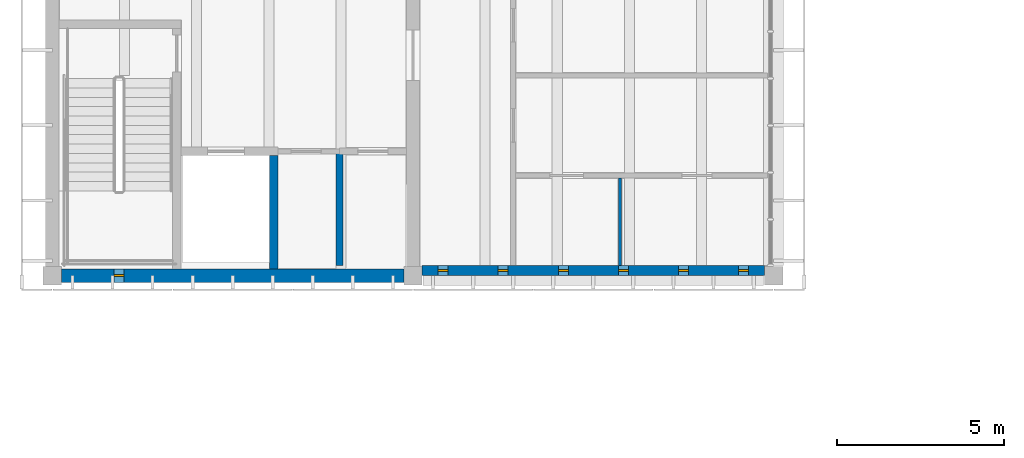
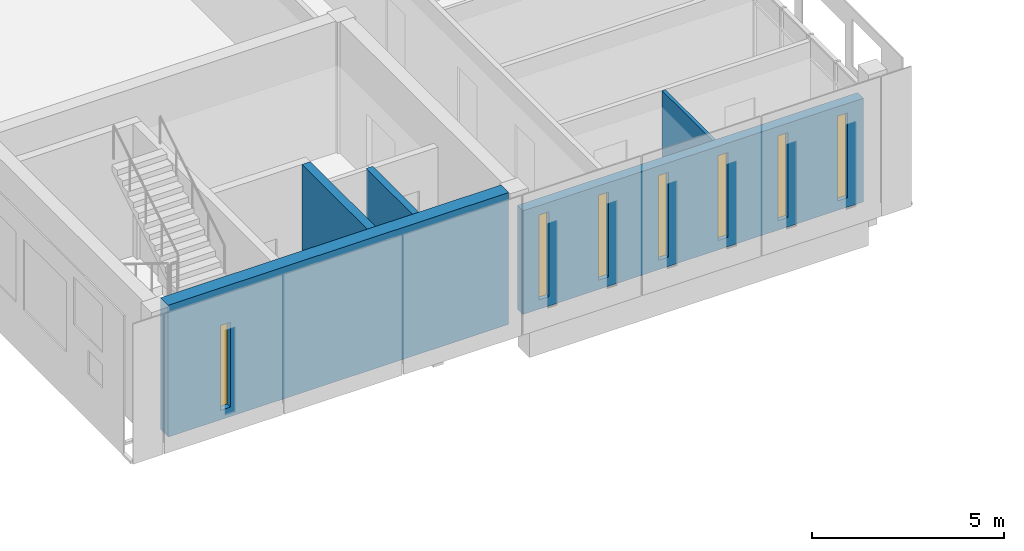
# One storey, part 42 of 74: 7 windows, 5 walls, 7 openings.
"""IFC4 building model written with IfcOpenShell, lengths in metres."""

from ifc_helpers import new_model, si_unit, direction, frame, frame_2d, origin, place, context, subcontext, project, spatial, rectangle, extrude, material, layer, layer_set, type_object, element, fill, save


model = new_model("IFC4")

# Units and contexts
model_context = context("Model", 3, precision=1e-05, world=origin(), true_north=direction((0.0, 1.0)))
body_context = subcontext(model_context, "Body", "Model", "MODEL_VIEW")
ifc_project = project(units=[si_unit("LENGTHUNIT", "METRE"), si_unit("AREAUNIT", "SQUARE_METRE"), si_unit("VOLUMEUNIT", "CUBIC_METRE"), si_unit("PLANEANGLEUNIT", "RADIAN"), si_unit("MASSUNIT", "GRAM", prefix="KILO")], contexts=[model_context])

# Site, building, storey
site_placement = place(None, origin())
site = spatial("IfcSite", under=ifc_project, at=site_placement, CompositionType="ELEMENT")
building_placement = place(site_placement, origin())
building = spatial("IfcBuilding", under=site, at=building_placement, Name="Merrow Basin Faculty of Sciences", CompositionType="ELEMENT")
storey_placement = place(building_placement, frame((0.0, 0.0, 13.5)))
storey = spatial("IfcBuildingStorey", under=building, at=storey_placement, Name="L03", CompositionType="ELEMENT", Elevation=13.5)

# Wall, openings, windows
ifc_material_1 = material(Name="Precast concrete C40/50", Category="concrete")
ifc_layer_1 = layer(ifc_material_1, 0.300048828125)
ifc_layer_set_1 = layer_set([ifc_layer_1], Name="End wall 300 Precast concrete C40/50")
wall_type_1 = type_object("IfcWallType", Name="End wall 300 Precast concrete C40/50", PredefinedType="STANDARD", material=ifc_layer_set_1)
wall_1_placement = place(storey_placement, frame((21.324951171875, 61.14990234375, 0.0), z_axis=(0.0, 0.0, 1.0), x_axis=(-1.0, 0.0, 0.0)))
wall_1 = element("IfcWall", 1, at=wall_1_placement, inside=storey, type_object=wall_type_1, Name="South end wall 1", PredefinedType="STANDARD", context=body_context, shape_type="SweptSolid", body=[
    extrude(rectangle(XDim=10.25, YDim=0.300048828125, at=frame_2d((5.125, 0.0))), origin(), (0.0, 0.0, 1.0), 3.300048828125),
])
opening_1_placement = place(wall_1_placement, frame((9.47509765625, 0.0, 0.300048828125)))
opening_1 = element("IfcOpeningElement", 2, at=opening_1_placement, cuts=wall_1, Name="Opening WN1", PredefinedType="OPENING", context=body_context, shape_type="SweptSolid", body=[
    extrude(rectangle(XDim=0.300048828125, YDim=2.699951171875, at=frame_2d((0.14990234375, 1.35009765625))), frame((0.0, 0.159912109375, 0.0), z_axis=(0.0, -1.0, 0.0), x_axis=(1.0, 0.0, 0.0)), (0.0, 0.0, 1.0), 0.320068359375),
])
opening_2_placement = place(wall_1_placement, frame((7.675048828125, 0.0, 0.300048828125)))
opening_2 = element("IfcOpeningElement", 3, at=opening_2_placement, cuts=wall_1, Name="Opening WN1", PredefinedType="OPENING", context=body_context, shape_type="SweptSolid", body=[
    extrude(rectangle(XDim=0.300048828125, YDim=2.699951171875, at=frame_2d((0.14990234375, 1.35009765625))), frame((0.0, 0.159912109375, 0.0), z_axis=(0.0, -1.0, 0.0), x_axis=(1.0, 0.0, 0.0)), (0.0, 0.0, 1.0), 0.320068359375),
])
opening_3_placement = place(wall_1_placement, frame((5.875, 0.0, 0.300048828125)))
opening_3 = element("IfcOpeningElement", 4, at=opening_3_placement, cuts=wall_1, Name="Opening WN1", PredefinedType="OPENING", context=body_context, shape_type="SweptSolid", body=[
    extrude(rectangle(XDim=0.300048828125, YDim=2.699951171875, at=frame_2d((0.14990234375, 1.35009765625))), frame((0.0, 0.159912109375, 0.0), z_axis=(0.0, -1.0, 0.0), x_axis=(1.0, 0.0, 0.0)), (0.0, 0.0, 1.0), 0.320068359375),
])
opening_4_placement = place(wall_1_placement, frame((4.074951171875, 0.0, 0.300048828125)))
opening_4 = element("IfcOpeningElement", 5, at=opening_4_placement, cuts=wall_1, Name="Opening WN1", PredefinedType="OPENING", context=body_context, shape_type="SweptSolid", body=[
    extrude(rectangle(XDim=0.300048828125, YDim=2.699951171875, at=frame_2d((0.14990234375, 1.35009765625))), frame((0.0, 0.159912109375, 0.0), z_axis=(0.0, -1.0, 0.0), x_axis=(1.0, 0.0, 0.0)), (0.0, 0.0, 1.0), 0.320068359375),
])
opening_5_placement = place(wall_1_placement, frame((2.27490234375, 0.0, 0.300048828125)))
opening_5 = element("IfcOpeningElement", 6, at=opening_5_placement, cuts=wall_1, Name="Opening WN1", PredefinedType="OPENING", context=body_context, shape_type="SweptSolid", body=[
    extrude(rectangle(XDim=0.300048828125, YDim=2.699951171875, at=frame_2d((0.14990234375, 1.35009765625))), frame((0.0, 0.159912109375, 0.0), z_axis=(0.0, -1.0, 0.0), x_axis=(1.0, 0.0, 0.0)), (0.0, 0.0, 1.0), 0.320068359375),
])
opening_6_placement = place(wall_1_placement, frame((0.47509765625, 0.0, 0.300048828125)))
opening_6 = element("IfcOpeningElement", 7, at=opening_6_placement, cuts=wall_1, Name="Opening WN1", PredefinedType="OPENING", context=body_context, shape_type="SweptSolid", body=[
    extrude(rectangle(XDim=0.300048828125, YDim=2.699951171875, at=frame_2d((0.14990234375, 1.35009765625))), frame((0.0, 0.159912109375, 0.0), z_axis=(0.0, -1.0, 0.0), x_axis=(1.0, 0.0, 0.0)), (0.0, 0.0, 1.0), 0.320068359375),
])
ifc_material_2 = material(Name="Low-E double glazing", Category="glass")
window_type = type_object("IfcWindowType", Name="Slot window 300 x 2700", PartitioningType="SINGLE_PANEL", PredefinedType="WINDOW", material=ifc_material_2)
window_1_placement = place(opening_1_placement, origin())
window_1 = element("IfcWindow", 8, at=window_1_placement, inside=storey, type_object=window_type, Name="South slot window L03", OverallHeight=2.699951171875, OverallWidth=0.300048828125, PartitioningType="SINGLE_PANEL", PredefinedType="WINDOW", context=body_context, shape_type="SweptSolid", body=[
    extrude(rectangle(XDim=0.300048828125, YDim=2.699951171875, at=frame_2d((0.14990234375, 1.35009765625))), frame((0.0, 0.030029296875, 0.0), z_axis=(0.0, -1.0, 0.0), x_axis=(1.0, 0.0, 0.0)), (0.0, 0.0, 1.0), 0.06005859375),
])
fill(opening_1, window_1)
window_2_placement = place(opening_2_placement, origin())
window_2 = element("IfcWindow", 9, at=window_2_placement, inside=storey, type_object=window_type, Name="South slot window L03", OverallHeight=2.699951171875, OverallWidth=0.300048828125, PartitioningType="SINGLE_PANEL", PredefinedType="WINDOW", context=body_context, shape_type="SweptSolid", body=[
    extrude(rectangle(XDim=0.300048828125, YDim=2.699951171875, at=frame_2d((0.14990234375, 1.35009765625))), frame((0.0, 0.030029296875, 0.0), z_axis=(0.0, -1.0, 0.0), x_axis=(1.0, 0.0, 0.0)), (0.0, 0.0, 1.0), 0.06005859375),
])
fill(opening_2, window_2)
window_3_placement = place(opening_3_placement, origin())
window_3 = element("IfcWindow", 10, at=window_3_placement, inside=storey, type_object=window_type, Name="South slot window L03", OverallHeight=2.699951171875, OverallWidth=0.300048828125, PartitioningType="SINGLE_PANEL", PredefinedType="WINDOW", context=body_context, shape_type="SweptSolid", body=[
    extrude(rectangle(XDim=0.300048828125, YDim=2.699951171875, at=frame_2d((0.14990234375, 1.35009765625))), frame((0.0, 0.030029296875, 0.0), z_axis=(0.0, -1.0, 0.0), x_axis=(1.0, 0.0, 0.0)), (0.0, 0.0, 1.0), 0.06005859375),
])
fill(opening_3, window_3)
window_4_placement = place(opening_4_placement, origin())
window_4 = element("IfcWindow", 11, at=window_4_placement, inside=storey, type_object=window_type, Name="South slot window L03", OverallHeight=2.699951171875, OverallWidth=0.300048828125, PartitioningType="SINGLE_PANEL", PredefinedType="WINDOW", context=body_context, shape_type="SweptSolid", body=[
    extrude(rectangle(XDim=0.300048828125, YDim=2.699951171875, at=frame_2d((0.14990234375, 1.35009765625))), frame((0.0, 0.030029296875, 0.0), z_axis=(0.0, -1.0, 0.0), x_axis=(1.0, 0.0, 0.0)), (0.0, 0.0, 1.0), 0.06005859375),
])
fill(opening_4, window_4)
window_5_placement = place(opening_5_placement, origin())
window_5 = element("IfcWindow", 12, at=window_5_placement, inside=storey, type_object=window_type, Name="South slot window L03", OverallHeight=2.699951171875, OverallWidth=0.300048828125, PartitioningType="SINGLE_PANEL", PredefinedType="WINDOW", context=body_context, shape_type="SweptSolid", body=[
    extrude(rectangle(XDim=0.300048828125, YDim=2.699951171875, at=frame_2d((0.14990234375, 1.35009765625))), frame((0.0, 0.030029296875, 0.0), z_axis=(0.0, -1.0, 0.0), x_axis=(1.0, 0.0, 0.0)), (0.0, 0.0, 1.0), 0.06005859375),
])
fill(opening_5, window_5)
window_6_placement = place(opening_6_placement, origin())
window_6 = element("IfcWindow", 13, at=window_6_placement, inside=storey, type_object=window_type, Name="South slot window L03", OverallHeight=2.699951171875, OverallWidth=0.300048828125, PartitioningType="SINGLE_PANEL", PredefinedType="WINDOW", context=body_context, shape_type="SweptSolid", body=[
    extrude(rectangle(XDim=0.300048828125, YDim=2.699951171875, at=frame_2d((0.14990234375, 1.35009765625))), frame((0.0, 0.030029296875, 0.0), z_axis=(0.0, -1.0, 0.0), x_axis=(1.0, 0.0, 0.0)), (0.0, 0.0, 1.0), 0.06005859375),
])
fill(opening_6, window_6)

# Walls
ifc_material_3 = material(Name="Moisture-resistant gypsum board")
ifc_layer_2 = layer(ifc_material_3, 0.10009765625)
ifc_layer_set_2 = layer_set([ifc_layer_2], Name="Partition 100 moisture-resistant board on steel studs")
wall_type_2 = type_object("IfcWallType", Name="Partition 100 moisture-resistant board on steel studs", PredefinedType="PARTITIONING", material=ifc_layer_set_2)
wall_2_placement = place(storey_placement, frame((17.0, 61.300048828125, 0.0), z_axis=(0.0, 0.0, 1.0), x_axis=(0.0, 1.0, 0.0)))
element("IfcWall", 14, at=wall_2_placement, inside=storey, type_object=wall_type_2, Name="IW101 L03 022", PredefinedType="PARTITIONING", context=body_context, shape_type="SweptSolid", body=[
    extrude(rectangle(XDim=2.625, YDim=0.10009765625, at=frame_2d((1.3125, 0.0))), origin(), (0.0, 0.0, 1.0), 3.300048828125),
])
ifc_material_4 = material(Name="Fire-rated gypsum board")
ifc_layer_3 = layer(ifc_material_4, 0.199951171875)
ifc_layer_set_3 = layer_set([ifc_layer_3], Name="Riser lining 200 fire-rated board on steel studs")
wall_type_3 = type_object("IfcWallType", Name="Riser lining 200 fire-rated board on steel studs", PredefinedType="PARTITIONING", material=ifc_layer_set_3)
wall_3_placement = place(storey_placement, frame((8.60009765625, 61.300048828125, 0.0), z_axis=(0.0, 0.0, 1.0), x_axis=(0.0, 1.0, 0.0)))
element("IfcWall", 15, at=wall_3_placement, inside=storey, type_object=wall_type_3, Name="IW200 L03 001", PredefinedType="PARTITIONING", context=body_context, shape_type="SweptSolid", body=[
    extrude(rectangle(XDim=3.425048828125, YDim=0.199951171875, at=frame_2d((1.71240234375, 0.0))), origin(), (0.0, 0.0, 1.0), 3.300048828125),
])
ifc_material_5 = material(Name="Concrete C40/50", Category="concrete")
ifc_layer_4 = layer(ifc_material_5, 0.25)
ifc_layer_set_4 = layer_set([ifc_layer_4], Name="Shear wall 250 Concrete C40/50")
wall_type_4 = type_object("IfcWallType", Name="Shear wall 250 Concrete C40/50", PredefinedType="SHEAR", material=ifc_layer_set_4)
wall_4_placement = place(storey_placement, frame((6.625, 61.199951171875, 0.0), z_axis=(0.0, 0.0, 1.0), x_axis=(0.0, 1.0, 0.0)))
element("IfcWall", 16, at=wall_4_placement, inside=storey, type_object=wall_type_4, Name="SW2 L03 008", PredefinedType="SHEAR", context=body_context, shape_type="SweptSolid", body=[
    extrude(rectangle(XDim=3.400146484375, YDim=0.25, at=frame_2d((1.7001953125, 0.0))), origin(), (0.0, 0.0, 1.0), 4.199951171875),
])

# Wall, opening, window
ifc_material_6 = material(Name="Concrete C40/50", Category="concrete")
ifc_layer_5 = layer(ifc_material_6, 0.39990234375)
ifc_layer_set_5 = layer_set([ifc_layer_5], Name="Shear wall 400 Concrete C40/50")
wall_type_5 = type_object("IfcWallType", Name="Shear wall 400 Concrete C40/50", PredefinedType="SHEAR", material=ifc_layer_set_5)
wall_5_placement = place(storey_placement, frame((0.27490234375, 61.0, 0.0), z_axis=(0.0, 0.0, 1.0), x_axis=(1.0, 0.0, 0.0)))
wall_5 = element("IfcWall", 17, at=wall_5_placement, inside=storey, type_object=wall_type_5, Name="SW1 L03 001", PredefinedType="SHEAR", context=body_context, shape_type="SweptSolid", body=[
    extrude(rectangle(XDim=10.25, YDim=0.39990234375, at=frame_2d((5.125, 0.0))), origin(), (0.0, 0.0, 1.0), 4.199951171875),
])
opening_7_placement = place(wall_5_placement, frame((1.574951171875, 0.0, 0.300048828125)))
opening_7 = element("IfcOpeningElement", 18, at=opening_7_placement, cuts=wall_5, Name="Opening WN1", PredefinedType="OPENING", context=body_context, shape_type="SweptSolid", body=[
    extrude(rectangle(XDim=0.300048828125, YDim=2.699951171875, at=frame_2d((0.14990234375, 1.35009765625))), frame((0.0, 0.2099609375, 0.0), z_axis=(0.0, -1.0, 0.0), x_axis=(1.0, 0.0, 0.0)), (0.0, 0.0, 1.0), 0.419921875),
])
window_7_placement = place(opening_7_placement, origin())
window_7 = element("IfcWindow", 19, at=window_7_placement, inside=storey, type_object=window_type, Name="Stair slot window C-V4-S L03", OverallHeight=2.699951171875, OverallWidth=0.300048828125, PartitioningType="SINGLE_PANEL", PredefinedType="WINDOW", context=body_context, shape_type="SweptSolid", body=[
    extrude(rectangle(XDim=0.300048828125, YDim=2.699951171875, at=frame_2d((0.14990234375, 1.35009765625))), frame((0.0, 0.030029296875, 0.0), z_axis=(0.0, -1.0, 0.0), x_axis=(1.0, 0.0, 0.0)), (0.0, 0.0, 1.0), 0.06005859375),
])
fill(opening_7, window_7)

save(model, "model.ifc")
